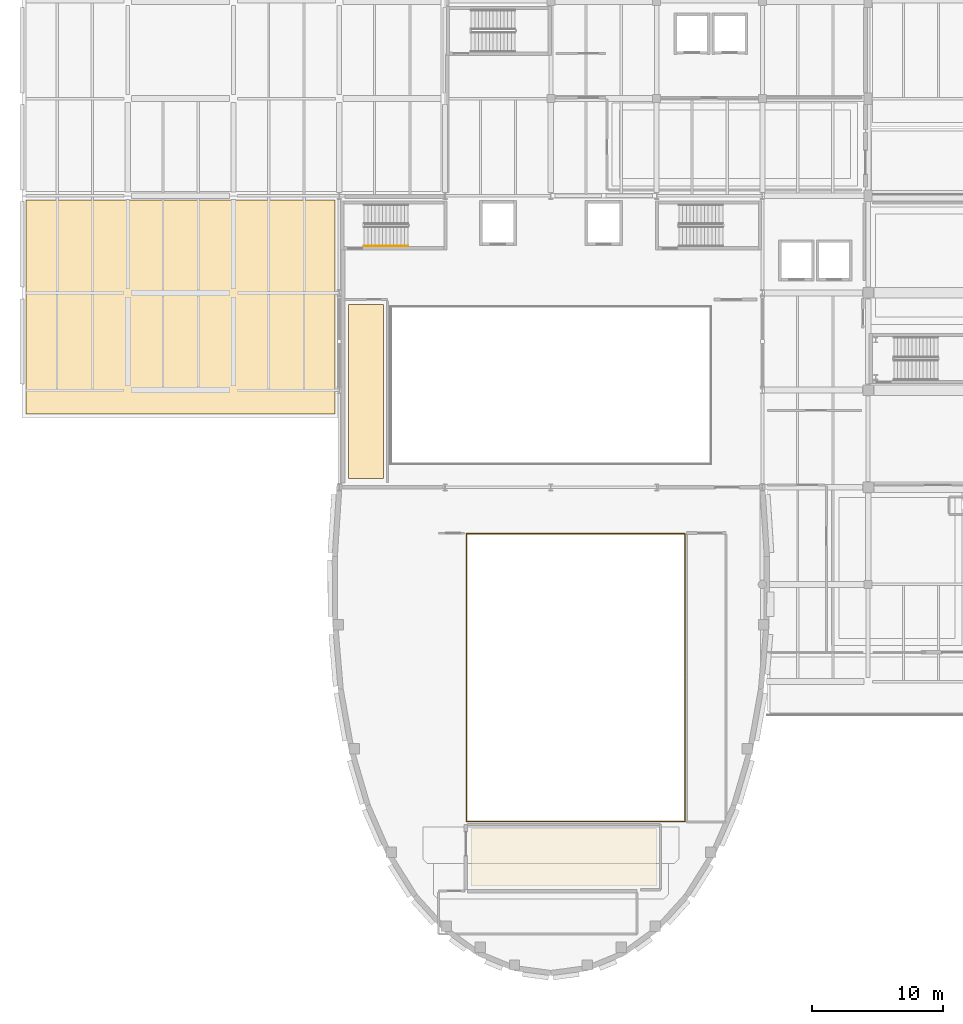
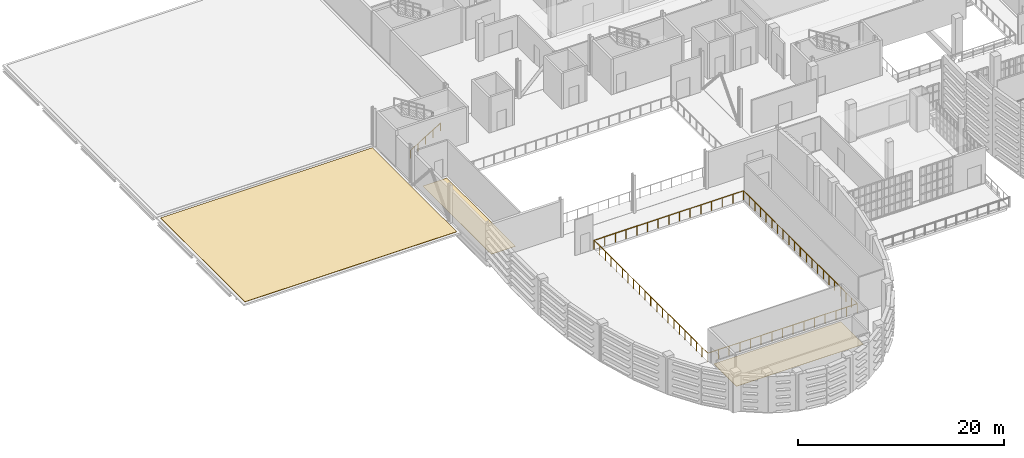
# One storey, part 65 of 73: 3 coverings, 3 railings.
"""IFC4 building model written with IfcOpenShell, lengths in metres."""

from ifc_helpers import new_model, si_unit, direction, frame, origin, origin_2d, place, context, subcontext, project, spatial, polyline, circle, outline, extrude, material, layer, layer_set, type_object, element, save


model = new_model("IFC4")

# Units and contexts
model_context = context("Model", 3, precision=1e-05, world=origin(), true_north=direction((0.0, 1.0)))
body_context = subcontext(model_context, "Body", "Model", "MODEL_VIEW")
ifc_project = project(units=[si_unit("LENGTHUNIT", "METRE"), si_unit("AREAUNIT", "SQUARE_METRE"), si_unit("VOLUMEUNIT", "CUBIC_METRE"), si_unit("PLANEANGLEUNIT", "RADIAN"), si_unit("MASSUNIT", "GRAM", prefix="KILO")], contexts=[model_context])

# Site, building, storey
site_placement = place(None, origin())
site = spatial("IfcSite", under=ifc_project, at=site_placement, CompositionType="ELEMENT")
building_placement = place(site_placement, origin())
building = spatial("IfcBuilding", under=site, at=building_placement, Name="Kaelora Sail Theatre", CompositionType="ELEMENT")
storey_placement = place(building_placement, frame((0.0, 0.0, 10.199951171875)))
storey = spatial("IfcBuildingStorey", under=building, at=storey_placement, Name="L02", CompositionType="ELEMENT", Elevation=10.199951171875)

# Coverings
ifc_material_1 = material(Name="Acoustic rubber backstage studio flooring", Category="rubber")
ifc_layer_1 = layer(ifc_material_1, 0.02197265625)
ifc_layer_set_1 = layer_set([ifc_layer_1], Name="Acoustic rubber backstage studio flooring")
covering_type_1 = type_object("IfcCoveringType", Name="ARC-COV-FLR-AC-22", PredefinedType="FLOORING", material=ifc_layer_set_1)
covering_1_placement = place(storey_placement, origin())
element("IfcCovering", 1, at=covering_1_placement, inside=storey, type_object=covering_type_1, Name="Architectural flooring L02-FLY-LOCK", PredefinedType="FLOORING", context=body_context, shape_type="SweptSolid", body=[
    extrude(outline(polyline([(26.5, 61.699951171875), (29.199951171875, 61.699951171875), (29.199951171875, 75.0), (26.5, 75.0), (26.5, 61.699951171875)])), origin(), (0.0, 0.0, 1.0), 0.02197265625),
])
ifc_material_2 = material(Name="Sprung West African iroko stage and dance floor", Category="timber")
ifc_layer_2 = layer(ifc_material_2, 0.028076171875)
ifc_layer_set_2 = layer_set([ifc_layer_2], Name="Sprung West African iroko stage and dance floor")
covering_type_2 = type_object("IfcCoveringType", Name="ARC-COV-FLR-OAK-28", PredefinedType="FLOORING", material=ifc_layer_set_2)
covering_2_placement = place(storey_placement, origin())
element("IfcCovering", 2, at=covering_2_placement, inside=storey, type_object=covering_type_2, Name="Architectural flooring L02-GAL-MAIN-S", PredefinedType="FLOORING", context=body_context, shape_type="SweptSolid", body=[
    extrude(outline(polyline([(35.89990234375, 30.5), (50.10009765625, 30.5), (50.10009765625, 34.89990234375), (35.89990234375, 34.89990234375), (35.89990234375, 30.5)])), origin(), (0.0, 0.0, 1.0), 0.028076171875),
])
ifc_material_3 = material(Name="Standing-seam titanium-zinc and TPO membrane", Category="metal")
ifc_layer_3 = layer(ifc_material_3, 0.044921875)
ifc_layer_set_3 = layer_set([ifc_layer_3], Name="Standing-seam titanium-zinc and TPO membrane")
covering_type_3 = type_object("IfcCoveringType", Name="ARC-COV-RFM", PredefinedType="ROOFING", material=ifc_layer_set_3)
covering_3_placement = place(storey_placement, origin())
element("IfcCovering", 3, at=covering_3_placement, inside=storey, type_object=covering_type_3, Name="Standing-seam titanium-zinc roofing FW1", PredefinedType="ROOFING", context=body_context, shape_type="SweptSolid", body=[
    extrude(outline(polyline([(1.800048828125, 66.64990234375), (25.47998046875, 66.64990234375), (25.47998046875, 83.010009765625), (1.800048828125, 83.010009765625), (1.800048828125, 66.64990234375)])), origin(), (0.0, 0.0, 1.0), 0.045166015625),
])

# Railings
ifc_material_4 = material(Name="Acoustic bronze and laminated glass balcony balustrade", Category="glass")
railing_type_1 = type_object("IfcRailingType", Name="ARC-RL-BAL", PredefinedType="BALUSTRADE", material=ifc_material_4)
railing_1_placement = place(storey_placement, frame((35.5400390625, 46.39990234375, 0.0)))
element("IfcRailing", 4, at=railing_1_placement, inside=storey, type_object=railing_type_1, Name="Interior void balustrade AUD-M2 south", PredefinedType="BALUSTRADE", context=body_context, shape_type="SweptSolid", body=[
    extrude(circle(Radius=0.02392578125, at=origin_2d()), frame((0.0, 0.0, 1.076171875), z_axis=(0.0, -1.0, 0.0), x_axis=(1.0, 0.0, 0.0)), (0.0, 0.0, 1.0), 10.9599609375),
    extrude(circle(Radius=0.02392578125, at=origin_2d()), frame((0.0, -10.9599609375, 1.076171875), z_axis=(1.0, 0.0, 0.0), x_axis=(0.0, 1.0, 0.0)), (0.0, 0.0, 1.0), 16.719970703125),
    extrude(circle(Radius=0.02392578125, at=origin_2d()), frame((16.719970703125, -10.9599609375, 1.076171875), z_axis=(0.0, 1.0, 0.0), x_axis=(-1.0, 0.0, 0.0)), (0.0, 0.0, 1.0), 10.9599609375),
    extrude(circle(Radius=0.02099609375, at=origin_2d()), origin(), (0.0, 0.0, 1.0), 1.052001953125),
    extrude(circle(Radius=0.02099609375, at=origin_2d()), frame((0.0, -1.095947265625, 0.0)), (0.0, 0.0, 1.0), 1.052001953125),
    extrude(circle(Radius=0.02099609375, at=origin_2d()), frame((0.0, -2.19189453125, 0.0)), (0.0, 0.0, 1.0), 1.052001953125),
    extrude(circle(Radius=0.02099609375, at=origin_2d()), frame((0.0, -3.2880859375, 0.0)), (0.0, 0.0, 1.0), 1.052001953125),
    extrude(circle(Radius=0.02099609375, at=origin_2d()), frame((0.0, -4.384033203125, 0.0)), (0.0, 0.0, 1.0), 1.052001953125),
    extrude(circle(Radius=0.02099609375, at=origin_2d()), frame((0.0, -5.47998046875, 0.0)), (0.0, 0.0, 1.0), 1.052001953125),
    extrude(circle(Radius=0.02099609375, at=origin_2d()), frame((0.0, -6.575927734375, 0.0)), (0.0, 0.0, 1.0), 1.052001953125),
    extrude(circle(Radius=0.02099609375, at=origin_2d()), frame((0.0, -7.671875, 0.0)), (0.0, 0.0, 1.0), 1.052001953125),
    extrude(circle(Radius=0.02099609375, at=origin_2d()), frame((0.0, -8.76806640625, 0.0)), (0.0, 0.0, 1.0), 1.052001953125),
    extrude(circle(Radius=0.02099609375, at=origin_2d()), frame((0.0, -9.864013671875, 0.0)), (0.0, 0.0, 1.0), 1.052001953125),
    extrude(circle(Radius=0.02099609375, at=origin_2d()), frame((0.0, -10.9599609375, 0.0)), (0.0, 0.0, 1.0), 1.052001953125),
    extrude(circle(Radius=0.02099609375, at=origin_2d()), frame((1.1943359375, -10.9599609375, 0.0)), (0.0, 0.0, 1.0), 1.052001953125),
    extrude(circle(Radius=0.02099609375, at=origin_2d()), frame((2.388671875, -10.9599609375, 0.0)), (0.0, 0.0, 1.0), 1.052001953125),
    extrude(circle(Radius=0.02099609375, at=origin_2d()), frame((3.582763671875, -10.9599609375, 0.0)), (0.0, 0.0, 1.0), 1.052001953125),
    extrude(circle(Radius=0.02099609375, at=origin_2d()), frame((4.777099609375, -10.9599609375, 0.0)), (0.0, 0.0, 1.0), 1.052001953125),
    extrude(circle(Radius=0.02099609375, at=origin_2d()), frame((5.971435546875, -10.9599609375, 0.0)), (0.0, 0.0, 1.0), 1.052001953125),
    extrude(circle(Radius=0.02099609375, at=origin_2d()), frame((7.165771484375, -10.9599609375, 0.0)), (0.0, 0.0, 1.0), 1.052001953125),
    extrude(circle(Radius=0.02099609375, at=origin_2d()), frame((8.35986328125, -10.9599609375, 0.0)), (0.0, 0.0, 1.0), 1.052001953125),
    extrude(circle(Radius=0.02099609375, at=origin_2d()), frame((9.55419921875, -10.9599609375, 0.0)), (0.0, 0.0, 1.0), 1.052001953125),
    extrude(circle(Radius=0.02099609375, at=origin_2d()), frame((10.74853515625, -10.9599609375, 0.0)), (0.0, 0.0, 1.0), 1.052001953125),
    extrude(circle(Radius=0.02099609375, at=origin_2d()), frame((11.94287109375, -10.9599609375, 0.0)), (0.0, 0.0, 1.0), 1.052001953125),
    extrude(circle(Radius=0.02099609375, at=origin_2d()), frame((13.13720703125, -10.9599609375, 0.0)), (0.0, 0.0, 1.0), 1.052001953125),
    extrude(circle(Radius=0.02099609375, at=origin_2d()), frame((14.331298828125, -10.9599609375, 0.0)), (0.0, 0.0, 1.0), 1.052001953125),
    extrude(circle(Radius=0.02099609375, at=origin_2d()), frame((15.525634765625, -10.9599609375, 0.0)), (0.0, 0.0, 1.0), 1.052001953125),
    extrude(circle(Radius=0.02099609375, at=origin_2d()), frame((16.719970703125, -10.9599609375, 0.0)), (0.0, 0.0, 1.0), 1.052001953125),
    extrude(circle(Radius=0.02099609375, at=origin_2d()), frame((16.719970703125, -9.864013671875, 0.0)), (0.0, 0.0, 1.0), 1.052001953125),
    extrude(circle(Radius=0.02099609375, at=origin_2d()), frame((16.719970703125, -8.76806640625, 0.0)), (0.0, 0.0, 1.0), 1.052001953125),
    extrude(circle(Radius=0.02099609375, at=origin_2d()), frame((16.719970703125, -7.671875, 0.0)), (0.0, 0.0, 1.0), 1.052001953125),
    extrude(circle(Radius=0.02099609375, at=origin_2d()), frame((16.719970703125, -6.575927734375, 0.0)), (0.0, 0.0, 1.0), 1.052001953125),
    extrude(circle(Radius=0.02099609375, at=origin_2d()), frame((16.719970703125, -5.47998046875, 0.0)), (0.0, 0.0, 1.0), 1.052001953125),
    extrude(circle(Radius=0.02099609375, at=origin_2d()), frame((16.719970703125, -4.384033203125, 0.0)), (0.0, 0.0, 1.0), 1.052001953125),
    extrude(circle(Radius=0.02099609375, at=origin_2d()), frame((16.719970703125, -3.2880859375, 0.0)), (0.0, 0.0, 1.0), 1.052001953125),
    extrude(circle(Radius=0.02099609375, at=origin_2d()), frame((16.719970703125, -2.19189453125, 0.0)), (0.0, 0.0, 1.0), 1.052001953125),
    extrude(circle(Radius=0.02099609375, at=origin_2d()), frame((16.719970703125, -1.095947265625, 0.0)), (0.0, 0.0, 1.0), 1.052001953125),
    extrude(circle(Radius=0.02099609375, at=origin_2d()), frame((16.719970703125, 0.0, 0.0)), (0.0, 0.0, 1.0), 1.052001953125),
])
railing_2_placement = place(storey_placement, frame((52.260009765625, 46.5, 0.0)))
element("IfcRailing", 5, at=railing_2_placement, inside=storey, type_object=railing_type_1, Name="Interior void balustrade AUD-M2 north", PredefinedType="BALUSTRADE", context=body_context, shape_type="SweptSolid", body=[
    extrude(circle(Radius=0.02392578125, at=origin_2d()), frame((0.0, 0.0, 1.076171875), z_axis=(0.0, 1.0, 0.0), x_axis=(-1.0, 0.0, 0.0)), (0.0, 0.0, 1.0), 10.9599609375),
    extrude(circle(Radius=0.02392578125, at=origin_2d()), frame((0.0, 10.9599609375, 1.076171875), z_axis=(-1.0, 0.0, 0.0), x_axis=(0.0, -1.0, 0.0)), (0.0, 0.0, 1.0), 16.719970703125),
    extrude(circle(Radius=0.02392578125, at=origin_2d()), frame((-16.719970703125, 10.9599609375, 1.076171875), z_axis=(0.0, -1.0, 0.0), x_axis=(1.0, 0.0, 0.0)), (0.0, 0.0, 1.0), 10.9599609375),
    extrude(circle(Radius=0.02099609375, at=origin_2d()), origin(), (0.0, 0.0, 1.0), 1.052001953125),
    extrude(circle(Radius=0.02099609375, at=origin_2d()), frame((0.0, 1.095947265625, 0.0)), (0.0, 0.0, 1.0), 1.052001953125),
    extrude(circle(Radius=0.02099609375, at=origin_2d()), frame((0.0, 2.19189453125, 0.0)), (0.0, 0.0, 1.0), 1.052001953125),
    extrude(circle(Radius=0.02099609375, at=origin_2d()), frame((0.0, 3.2880859375, 0.0)), (0.0, 0.0, 1.0), 1.052001953125),
    extrude(circle(Radius=0.02099609375, at=origin_2d()), frame((0.0, 4.384033203125, 0.0)), (0.0, 0.0, 1.0), 1.052001953125),
    extrude(circle(Radius=0.02099609375, at=origin_2d()), frame((0.0, 5.47998046875, 0.0)), (0.0, 0.0, 1.0), 1.052001953125),
    extrude(circle(Radius=0.02099609375, at=origin_2d()), frame((0.0, 6.575927734375, 0.0)), (0.0, 0.0, 1.0), 1.052001953125),
    extrude(circle(Radius=0.02099609375, at=origin_2d()), frame((0.0, 7.671875, 0.0)), (0.0, 0.0, 1.0), 1.052001953125),
    extrude(circle(Radius=0.02099609375, at=origin_2d()), frame((0.0, 8.76806640625, 0.0)), (0.0, 0.0, 1.0), 1.052001953125),
    extrude(circle(Radius=0.02099609375, at=origin_2d()), frame((0.0, 9.864013671875, 0.0)), (0.0, 0.0, 1.0), 1.052001953125),
    extrude(circle(Radius=0.02099609375, at=origin_2d()), frame((0.0, 10.9599609375, 0.0)), (0.0, 0.0, 1.0), 1.052001953125),
    extrude(circle(Radius=0.02099609375, at=origin_2d()), frame((-1.1943359375, 10.9599609375, 0.0)), (0.0, 0.0, 1.0), 1.052001953125),
    extrude(circle(Radius=0.02099609375, at=origin_2d()), frame((-2.388671875, 10.9599609375, 0.0)), (0.0, 0.0, 1.0), 1.052001953125),
    extrude(circle(Radius=0.02099609375, at=origin_2d()), frame((-3.582763671875, 10.9599609375, 0.0)), (0.0, 0.0, 1.0), 1.052001953125),
    extrude(circle(Radius=0.02099609375, at=origin_2d()), frame((-4.777099609375, 10.9599609375, 0.0)), (0.0, 0.0, 1.0), 1.052001953125),
    extrude(circle(Radius=0.02099609375, at=origin_2d()), frame((-5.971435546875, 10.9599609375, 0.0)), (0.0, 0.0, 1.0), 1.052001953125),
    extrude(circle(Radius=0.02099609375, at=origin_2d()), frame((-7.165771484375, 10.9599609375, 0.0)), (0.0, 0.0, 1.0), 1.052001953125),
    extrude(circle(Radius=0.02099609375, at=origin_2d()), frame((-8.35986328125, 10.9599609375, 0.0)), (0.0, 0.0, 1.0), 1.052001953125),
    extrude(circle(Radius=0.02099609375, at=origin_2d()), frame((-9.55419921875, 10.9599609375, 0.0)), (0.0, 0.0, 1.0), 1.052001953125),
    extrude(circle(Radius=0.02099609375, at=origin_2d()), frame((-10.74853515625, 10.9599609375, 0.0)), (0.0, 0.0, 1.0), 1.052001953125),
    extrude(circle(Radius=0.02099609375, at=origin_2d()), frame((-11.94287109375, 10.9599609375, 0.0)), (0.0, 0.0, 1.0), 1.052001953125),
    extrude(circle(Radius=0.02099609375, at=origin_2d()), frame((-13.13720703125, 10.9599609375, 0.0)), (0.0, 0.0, 1.0), 1.052001953125),
    extrude(circle(Radius=0.02099609375, at=origin_2d()), frame((-14.331298828125, 10.9599609375, 0.0)), (0.0, 0.0, 1.0), 1.052001953125),
    extrude(circle(Radius=0.02099609375, at=origin_2d()), frame((-15.525634765625, 10.9599609375, 0.0)), (0.0, 0.0, 1.0), 1.052001953125),
    extrude(circle(Radius=0.02099609375, at=origin_2d()), frame((-16.719970703125, 10.9599609375, 0.0)), (0.0, 0.0, 1.0), 1.052001953125),
    extrude(circle(Radius=0.02099609375, at=origin_2d()), frame((-16.719970703125, 9.864013671875, 0.0)), (0.0, 0.0, 1.0), 1.052001953125),
    extrude(circle(Radius=0.02099609375, at=origin_2d()), frame((-16.719970703125, 8.76806640625, 0.0)), (0.0, 0.0, 1.0), 1.052001953125),
    extrude(circle(Radius=0.02099609375, at=origin_2d()), frame((-16.719970703125, 7.671875, 0.0)), (0.0, 0.0, 1.0), 1.052001953125),
    extrude(circle(Radius=0.02099609375, at=origin_2d()), frame((-16.719970703125, 6.575927734375, 0.0)), (0.0, 0.0, 1.0), 1.052001953125),
    extrude(circle(Radius=0.02099609375, at=origin_2d()), frame((-16.719970703125, 5.47998046875, 0.0)), (0.0, 0.0, 1.0), 1.052001953125),
    extrude(circle(Radius=0.02099609375, at=origin_2d()), frame((-16.719970703125, 4.384033203125, 0.0)), (0.0, 0.0, 1.0), 1.052001953125),
    extrude(circle(Radius=0.02099609375, at=origin_2d()), frame((-16.719970703125, 3.2880859375, 0.0)), (0.0, 0.0, 1.0), 1.052001953125),
    extrude(circle(Radius=0.02099609375, at=origin_2d()), frame((-16.719970703125, 2.19189453125, 0.0)), (0.0, 0.0, 1.0), 1.052001953125),
    extrude(circle(Radius=0.02099609375, at=origin_2d()), frame((-16.719970703125, 1.095947265625, 0.0)), (0.0, 0.0, 1.0), 1.052001953125),
    extrude(circle(Radius=0.02099609375, at=origin_2d()), frame((-16.719970703125, 0.0, 0.0)), (0.0, 0.0, 1.0), 1.052001953125),
])
ifc_material_5 = material(Name="Brushed stainless steel 316L tubular handrail", Category="steel")
railing_type_2 = type_object("IfcRailingType", Name="ARC-RL-HND", PredefinedType="HANDRAIL", material=ifc_material_5)
railing_3_placement = place(storey_placement, frame((27.7099609375, 79.5, 0.173095703125)))
element("IfcRailing", 6, at=railing_3_placement, inside=storey, type_object=railing_type_2, Name="L02 ST-K1 stair handrail 1", PredefinedType="HANDRAIL", context=body_context, shape_type="SweptSolid", body=[
    extrude(circle(Radius=0.02392578125, at=origin_2d()), frame((0.0, 0.0, 0.8759765625), z_axis=(0.850623216509, 0.0, 0.525775754039), x_axis=(0.0, 1.0, 0.0)), (0.0, 0.0, 1.0), 3.9501953125),
    extrude(circle(Radius=0.02099609375, at=origin_2d()), origin(), (0.0, 0.0, 1.0), 0.851806640625),
    extrude(circle(Radius=0.02099609375, at=origin_2d()), frame((0.840087890625, 0.0, 0.519287109375)), (0.0, 0.0, 1.0), 0.851806640625),
    extrude(circle(Radius=0.02099609375, at=origin_2d()), frame((1.68017578125, 0.0, 1.03857421875)), (0.0, 0.0, 1.0), 0.851806640625),
    extrude(circle(Radius=0.02099609375, at=origin_2d()), frame((2.52001953125, 0.0, 1.5576171875)), (0.0, 0.0, 1.0), 0.851806640625),
    extrude(circle(Radius=0.02099609375, at=origin_2d()), frame((3.360107421875, 0.0, 2.076904296875)), (0.0, 0.0, 1.0), 0.851806640625),
])

save(model, "model.ifc")
